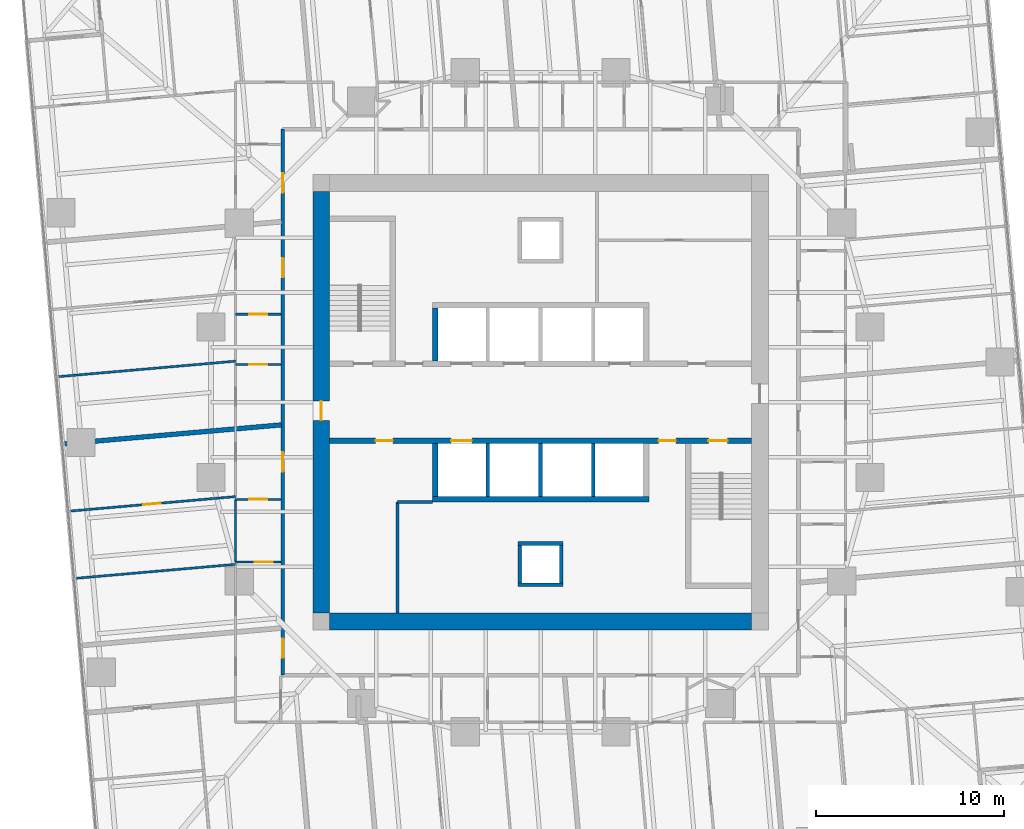
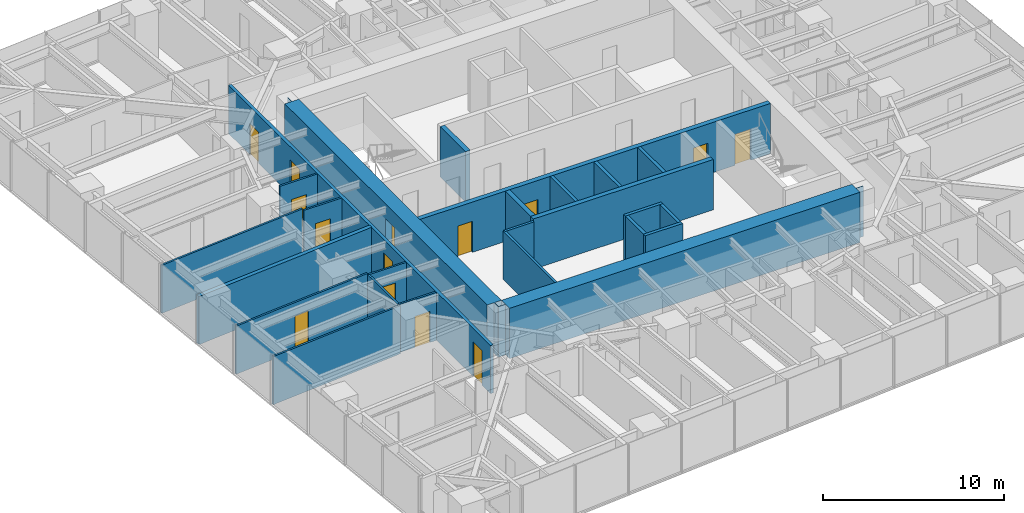
# One storey, part 9 of 14: 25 walls, 14 doors, 14 openings.
"""IFC4 building model written with IfcOpenShell, lengths in metres."""

import ifcopenshell
import ifcopenshell.guid

model = None  # the IFC model being written
_history = None  # IfcOwnerHistory: only IFC2X3 demands one
_inside = {}  # id of a spatial element -> (the spatial element, [elements in it])
_under = {}  # id of a project, library or spatial element -> (it, [spatial elements below it])
_declared = {}  # id of a project -> (the project, [libraries it declares])
_typed = {}  # id of a type object -> (the type object, [elements of that type])
_made_of = {}  # id of a material, layer set ... -> (it, [elements and type objects made of it])


def new_model(schema):
    """Start an empty IFC model of exactly this schema.

    Asked for "IFC4X3", IfcOpenShell would pick the latest addendum, in which some entities
    have other attributes; the version numbers below select the first issue.
    IFC2X3 requires an IfcOwnerHistory on every rooted entity: one is made here for all.
    """
    global model, _history
    if schema == "IFC4X3":
        model = ifcopenshell.file(schema_version=(4, 3, 0, 0))
    else:
        model = ifcopenshell.file(schema=schema)
    _inside.clear()
    _under.clear()
    _declared.clear()
    _typed.clear()
    _made_of.clear()
    _history = None
    if model.schema == "IFC2X3":
        org = make("IfcOrganization", Name="unknown")
        user = make(
            "IfcPersonAndOrganization",
            ThePerson=make("IfcPerson", FamilyName="unknown"),
            TheOrganization=org,
        )
        app = make(
            "IfcApplication",
            ApplicationDeveloper=org,
            Version="unknown",
            ApplicationFullName="unknown",
            ApplicationIdentifier="unknown",
        )
        _history = make(
            "IfcOwnerHistory",
            OwningUser=user,
            OwningApplication=app,
            ChangeAction="ADDED",
            CreationDate=0,
        )
    return model


def make(cls, **values):
    """One entity of the class cls with the attributes given. An attribute that is None is left unset."""
    return model.create_entity(
        cls, **{name: value for name, value in values.items() if value is not None}
    )


def rooted(cls, **values):
    """An entity with a GlobalId (a new one), such as an element, a storey or a relation."""
    return make(cls, GlobalId=ifcopenshell.guid.new(), OwnerHistory=_history, **values)


def si_unit(unit_type, name, prefix=None):
    """IfcSIUnit, for example si_unit("LENGTHUNIT", "METRE", prefix="MILLI")."""
    return make("IfcSIUnit", UnitType=unit_type, Prefix=prefix, Name=name)


def assignment(units):
    """IfcUnitAssignment: the units of a project."""
    return None if units is None else make("IfcUnitAssignment", Units=units)


def point(xyz):
    """IfcCartesianPoint."""
    return None if xyz is None else make("IfcCartesianPoint", Coordinates=xyz)


def direction(xyz):
    """IfcDirection."""
    return None if xyz is None else make("IfcDirection", DirectionRatios=xyz)


def frame(location, z_axis=None, x_axis=None):
    """IfcAxis2Placement3D, a coordinate frame: its origin and axes. An axis left out is left unset."""
    return make(
        "IfcAxis2Placement3D",
        Location=point(location),
        Axis=direction(z_axis),
        RefDirection=direction(x_axis),
    )


def frame_2d(location, x_axis=None):
    """IfcAxis2Placement2D, a coordinate frame in the plane: its origin and x axis."""
    return make(
        "IfcAxis2Placement2D", Location=point(location), RefDirection=direction(x_axis)
    )


def origin():
    """The frame at (0, 0, 0) with its axes left unset."""
    return frame((0.0, 0.0, 0.0))


def place(relative_to, where):
    """IfcLocalPlacement: puts the frame where relative to a parent placement (None: the world)."""
    return make(
        "IfcLocalPlacement", PlacementRelTo=relative_to, RelativePlacement=where
    )


def context(
    kind, dimensions, precision=None, world=None, true_north=None, identifier=None
):
    """IfcGeometricRepresentationContext, for example the 3D "Model" context."""
    return make(
        "IfcGeometricRepresentationContext",
        ContextIdentifier=identifier,
        ContextType=kind,
        CoordinateSpaceDimension=dimensions,
        Precision=precision,
        WorldCoordinateSystem=world,
        TrueNorth=true_north,
    )


def subcontext(parent, identifier, kind, view, scale=None):
    """IfcGeometricRepresentationSubContext, for example "Body" below "Model"."""
    return make(
        "IfcGeometricRepresentationSubContext",
        ContextIdentifier=identifier,
        ContextType=kind,
        ParentContext=parent,
        TargetScale=scale,
        TargetView=view,
    )


def project(units=None, contexts=None):
    """IfcProject with its units and contexts."""
    return rooted(
        "IfcProject",
        Name="project",
        RepresentationContexts=contexts,
        UnitsInContext=assignment(units),
    )


def spatial(cls, under=None, at=None, **own):
    """A site, building, storey or space (cls), placed at a placement, below another one or the project."""
    s = rooted(cls, ObjectPlacement=at, **own)
    if under is not None:
        _under.setdefault(under.id(), (under, []))[1].append(s)
    return s


def polyline(points):
    """IfcPolyline through the points."""
    return make("IfcPolyline", Points=[point(p) for p in points])


def profile(cls, at=None, kind="AREA", **sizes):
    """A parametric profile (cls). Its sizes go by their IFC names, for example OverallWidth=200.0."""
    return make(cls, ProfileType=kind, Position=at, **sizes)


def rectangle(**sizes):
    """IfcRectangleProfileDef."""
    return profile("IfcRectangleProfileDef", **sizes)


def outline(outer, holes=None, kind="AREA"):
    """IfcArbitraryClosedProfileDef: a profile drawn as a closed curve; with holes, ...WithVoids."""
    if holes is None:
        return make("IfcArbitraryClosedProfileDef", ProfileType=kind, OuterCurve=outer)
    return make(
        "IfcArbitraryProfileDefWithVoids",
        ProfileType=kind,
        OuterCurve=outer,
        InnerCurves=holes,
    )


def extrude(swept, where, along, depth):
    """IfcExtrudedAreaSolid: the profile swept, set in the frame where, extruded along a direction by depth."""
    return make(
        "IfcExtrudedAreaSolid",
        SweptArea=swept,
        Position=where,
        ExtrudedDirection=direction(along),
        Depth=depth,
    )


def shape(context_of_items, identifier, shape_type, items):
    """IfcShapeRepresentation: the items that make up one representation, for example the "Body"."""
    return make(
        "IfcShapeRepresentation",
        ContextOfItems=context_of_items,
        RepresentationIdentifier=identifier,
        RepresentationType=shape_type,
        Items=items,
    )


def material(Name=None, Category=None):
    """IfcMaterial."""
    return make("IfcMaterial", Name=Name, Category=Category)


def layer(
    of_material, thickness, ventilated=None, Name=None, Category=None, Priority=None
):
    """IfcMaterialLayer: one layer of a wall or slab, of a material (None: an air gap)."""
    return make(
        "IfcMaterialLayer",
        Material=of_material,
        LayerThickness=thickness,
        IsVentilated=ventilated,
        Name=Name,
        Category=Category,
        Priority=Priority,
    )


def layer_set(layers, Name=None):
    """IfcMaterialLayerSet."""
    return make("IfcMaterialLayerSet", MaterialLayers=layers, LayerSetName=Name)


def made_of(thing, what):
    """Note that an element or type object is made of a material, layer set ...; save() writes the relation."""
    if what is not None:
        _made_of.setdefault(what.id(), (what, []))[1].append(thing)
    return thing


def type_object(cls, material=None, **own):
    """A type object (cls), such as IfcWallType, which elements share."""
    return made_of(rooted(cls, **own), material)


def element(
    cls,
    number,
    at=None,
    inside=None,
    cuts=None,
    type_object=None,
    material=None,
    context=None,
    identifier="Body",
    shape_type=None,
    held_by="IfcProductDefinitionShape",
    body=None,
    shapes=None,
    **own,
):
    """One element of the class cls, such as IfcWall. Its Tag is "e" and its number.

    at: its placement. inside: the storey or other place that contains it. cuts: it is an
    opening in that element (IfcRelVoidsElement). A single representation is given by context,
    identifier, shape_type and body (its items); several are given by shapes. held_by: the class
    of the entity that holds the representations. save() writes the other relations.
    """
    e = rooted(cls, Tag="e%d" % number, ObjectPlacement=at, **own)
    if body is not None:
        shapes = [shape(context, identifier, shape_type, body)]
    if shapes is not None:
        e.Representation = make(held_by, Representations=shapes)
    if inside is not None:
        _inside.setdefault(inside.id(), (inside, []))[1].append(e)
    if cuts is not None:
        rooted(
            "IfcRelVoidsElement", RelatingBuildingElement=cuts, RelatedOpeningElement=e
        )
    if type_object is not None:
        _typed.setdefault(type_object.id(), (type_object, []))[1].append(e)
    return made_of(e, material)


def fill(opening, filler):
    """IfcRelFillsElement: the door or window that sits in an opening."""
    return rooted(
        "IfcRelFillsElement",
        RelatingOpeningElement=opening,
        RelatedBuildingElement=filler,
    )


def aggregate(whole, parts):
    """IfcRelAggregates: a whole, such as a stair, and the parts it consists of."""
    return rooted("IfcRelAggregates", RelatingObject=whole, RelatedObjects=parts)


def save(model, path):
    """Write the relations noted so far, then the file.

    IfcRelAggregates (storeys below a building ...), IfcRelContainedInSpatialStructure (elements
    in a storey), IfcRelDefinesByType, IfcRelAssociatesMaterial and IfcRelDeclares: one each for
    every whole, place, type object, material and project.
    """
    for whole, parts in _under.values():
        aggregate(whole, parts)
    for where, things in _inside.values():
        rooted(
            "IfcRelContainedInSpatialStructure",
            RelatedElements=things,
            RelatingStructure=where,
        )
    for kind, things in _typed.values():
        rooted("IfcRelDefinesByType", RelatedObjects=things, RelatingType=kind)
    for what, things in _made_of.values():
        rooted("IfcRelAssociatesMaterial", RelatedObjects=things, RelatingMaterial=what)
    for by, libraries in _declared.values():
        rooted("IfcRelDeclares", RelatingContext=by, RelatedDefinitions=libraries)
    model.write(path)


model = new_model("IFC4")

# Units and contexts
model_context = context("Model", 3, precision=1e-05, world=origin(), true_north=direction((0.0, 1.0)))
body_context = subcontext(model_context, "Body", "Model", "MODEL_VIEW")
ifc_project = project(units=[si_unit("LENGTHUNIT", "METRE"), si_unit("AREAUNIT", "SQUARE_METRE"), si_unit("VOLUMEUNIT", "CUBIC_METRE"), si_unit("PLANEANGLEUNIT", "RADIAN"), si_unit("MASSUNIT", "GRAM", prefix="KILO")], contexts=[model_context])

# Site, building, storey
site_placement = place(None, origin())
site = spatial("IfcSite", under=ifc_project, at=site_placement, CompositionType="ELEMENT")
building_placement = place(site_placement, origin())
building = spatial("IfcBuilding", under=site, at=building_placement, Name="Torsade Residences", CompositionType="ELEMENT")
storey_placement = place(building_placement, frame((0.0, 0.0, 60.800048828125)))
storey = spatial("IfcBuildingStorey", under=building, at=storey_placement, Name="L16", CompositionType="ELEMENT", Elevation=60.800048828125)

# Wall, openings, doors
ifc_material_1 = material(Name="Concrete 80 MPa", Category="concrete")
ifc_layer_1 = layer(ifc_material_1, 0.300048828125)
ifc_layer_set_1 = layer_set([ifc_layer_1], Name="Concrete 80 MPa")
wall_type_1 = type_object("IfcWallType", Name="CORE INTERNAL WALL 300", PredefinedType="SHEAR", material=ifc_layer_set_1)
wall_1_placement = place(storey_placement, frame((51.199951171875, 27.949951171875, 0.0), z_axis=(0.0, 0.0, 1.0), x_axis=(-1.0, 0.0, 0.0)))
wall_1 = element("IfcWall", 1, at=wall_1_placement, inside=storey, type_object=wall_type_1, Name="Core wall LS L16", PredefinedType="SHEAR", context=body_context, shape_type="SweptSolid", body=[
    extrude(rectangle(XDim=22.39990234375, YDim=0.300048828125, at=frame_2d((11.199951171875, 0.0))), origin(), (0.0, 0.0, 1.0), 3.39990234375),
])
opening_1_placement = place(wall_1_placement, frame((19.0400390625, 0.0, 0.0)))
opening_1 = element("IfcOpeningElement", 2, at=opening_1_placement, cuts=wall_1, Name="Opening D06", PredefinedType="OPENING", context=body_context, shape_type="SweptSolid", body=[
    extrude(rectangle(XDim=0.919921875, YDim=2.10009765625, at=frame_2d((0.4599609375, 1.050048828125))), frame((0.0, 0.159912109375, 0.0), z_axis=(0.0, -1.0, 0.0), x_axis=(1.0, 0.0, 0.0)), (0.0, 0.0, 1.0), 0.320068359375),
])
opening_2_placement = place(wall_1_placement, frame((1.264892578125, 0.0, 0.0)))
opening_2 = element("IfcOpeningElement", 3, at=opening_2_placement, cuts=wall_1, Name="Opening D03", PredefinedType="OPENING", context=body_context, shape_type="SweptSolid", body=[
    extrude(rectangle(XDim=1.02001953125, YDim=2.10009765625, at=frame_2d((0.510009765625, 1.050048828125))), frame((0.0, 0.159912109375, 0.0), z_axis=(0.0, -1.0, 0.0), x_axis=(1.0, 0.0, 0.0)), (0.0, 0.0, 1.0), 0.320068359375),
])
opening_3_placement = place(wall_1_placement, frame((4.014892578125, 0.0, 0.0)))
opening_3 = element("IfcOpeningElement", 4, at=opening_3_placement, cuts=wall_1, Name="Opening D06", PredefinedType="OPENING", context=body_context, shape_type="SweptSolid", body=[
    extrude(rectangle(XDim=0.919921875, YDim=2.10009765625, at=frame_2d((0.4599609375, 1.050048828125))), frame((0.0, 0.159912109375, 0.0), z_axis=(0.0, -1.0, 0.0), x_axis=(1.0, 0.0, 0.0)), (0.0, 0.0, 1.0), 0.320068359375),
])
opening_4_placement = place(wall_1_placement, frame((14.85009765625, 0.0, 0.0)))
opening_4 = element("IfcOpeningElement", 5, at=opening_4_placement, cuts=wall_1, Name="Opening LD", PredefinedType="OPENING", context=body_context, shape_type="SweptSolid", body=[
    extrude(rectangle(XDim=1.10009765625, YDim=2.10009765625, at=frame_2d((0.550048828125, 1.050048828125))), frame((0.0, 0.159912109375, 0.0), z_axis=(0.0, -1.0, 0.0), x_axis=(1.0, 0.0, 0.0)), (0.0, 0.0, 1.0), 0.320068359375),
])
ifc_material_2 = material(Name="Steel-framed fire door", Category="steel")
door_type_1 = type_object("IfcDoorType", Name="FIRE DOOR 1020", OperationType="NOTDEFINED", PredefinedType="DOOR", material=ifc_material_2)
door_1_placement = place(opening_2_placement, origin())
door_1 = element("IfcDoor", 6, at=door_1_placement, inside=storey, type_object=door_type_1, Name="Exit door to fire-isolated stair ST2 L16", OperationType="SINGLE_SWING_RIGHT", OverallHeight=2.10009765625, OverallWidth=1.02001953125, PredefinedType="DOOR", context=body_context, shape_type="SweptSolid", body=[
    extrude(rectangle(XDim=1.02001953125, YDim=2.10009765625, at=frame_2d((0.510009765625, 1.050048828125))), frame((0.0, 0.02490234375, 0.0), z_axis=(0.0, -1.0, 0.0), x_axis=(1.0, 0.0, 0.0)), (0.0, 0.0, 1.0), 0.050048828125),
])
fill(opening_2, door_1)
ifc_material_3 = material(Name="Steel-framed fire door", Category="steel")
door_type_2 = type_object("IfcDoorType", Name="FIRE DOOR 920", OperationType="NOTDEFINED", PredefinedType="DOOR", material=ifc_material_3)
door_2_placement = place(opening_1_placement, origin())
door_2 = element("IfcDoor", 7, at=door_2_placement, inside=storey, type_object=door_type_2, Name="Door Lift lobby to Cleaner store", OperationType="SINGLE_SWING_LEFT", OverallHeight=2.10009765625, OverallWidth=0.919921875, PredefinedType="DOOR", context=body_context, shape_type="SweptSolid", body=[
    extrude(rectangle(XDim=0.919921875, YDim=2.10009765625, at=frame_2d((0.4599609375, 1.050048828125))), frame((0.0, 0.02490234375, 0.0), z_axis=(0.0, -1.0, 0.0), x_axis=(1.0, 0.0, 0.0)), (0.0, 0.0, 1.0), 0.050048828125),
])
fill(opening_1, door_2)
door_3_placement = place(opening_3_placement, origin())
door_3 = element("IfcDoor", 8, at=door_3_placement, inside=storey, type_object=door_type_2, Name="Door Lift lobby to Communications riser room", OperationType="SINGLE_SWING_RIGHT", OverallHeight=2.10009765625, OverallWidth=0.919921875, PredefinedType="DOOR", context=body_context, shape_type="SweptSolid", body=[
    extrude(rectangle(XDim=0.919921875, YDim=2.10009765625, at=frame_2d((0.4599609375, 1.050048828125))), frame((0.0, 0.02490234375, 0.0), z_axis=(0.0, -1.0, 0.0), x_axis=(1.0, 0.0, 0.0)), (0.0, 0.0, 1.0), 0.050048828125),
])
fill(opening_3, door_3)
ifc_material_4 = material(Name="Stainless steel lift landing door", Category="steel")
door_type_3 = type_object("IfcDoorType", Name="LIFT LANDING DOOR 1100", OperationType="SLIDING_TO_LEFT", PredefinedType="DOOR", material=ifc_material_4)
door_4_placement = place(opening_4_placement, origin())
door_4 = element("IfcDoor", 9, at=door_4_placement, inside=storey, type_object=door_type_3, Name="Lift FL2 landing door L16", OperationType="SLIDING_TO_LEFT", OverallHeight=2.10009765625, OverallWidth=1.10009765625, PredefinedType="DOOR", context=body_context, shape_type="SweptSolid", body=[
    extrude(rectangle(XDim=1.10009765625, YDim=2.10009765625, at=frame_2d((0.550048828125, 1.050048828125))), frame((0.0, 0.02490234375, 0.0), z_axis=(0.0, -1.0, 0.0), x_axis=(1.0, 0.0, 0.0)), (0.0, 0.0, 1.0), 0.050048828125),
])
fill(opening_4, door_4)

# Walls
wall_2_placement = place(storey_placement, frame((45.75, 24.85009765625, 0.0), z_axis=(0.0, 0.0, 1.0), x_axis=(-1.0, 0.0, 0.0)))
element("IfcWall", 10, at=wall_2_placement, inside=storey, type_object=wall_type_1, Name="Core wall BS L16", PredefinedType="SHEAR", context=body_context, shape_type="SweptSolid", body=[
    extrude(rectangle(XDim=11.5, YDim=0.300048828125, at=frame_2d((5.75, 0.0))), origin(), (0.0, 0.0, 1.0), 3.39990234375),
])
for number, where, z_axis, x_axis, name in (
    (11, (34.39990234375, 32.199951171875, 0.0), (0.0, 0.0, 1.0), (0.0, 1.0, 0.0), "Core wall DN0 L16"),
    (12, (34.39990234375, 27.800048828125, 0.0), (0.0, 0.0, 1.0), (0.0, -1.0, 0.0), "Core wall DS4 L16"),
):
    element("IfcWall", number, at=place(storey_placement, frame(where, z_axis=z_axis, x_axis=x_axis)), inside=storey, type_object=wall_type_1, Name=name, PredefinedType="SHEAR", context=body_context, shape_type="SweptSolid", body=[
        extrude(rectangle(XDim=2.800048828125, YDim=0.300048828125, at=frame_2d((1.39990234375, 0.0))), origin(), (0.0, 0.0, 1.0), 3.39990234375),
    ])
ifc_material_5 = material(Name="Concrete 80 MPa", Category="concrete")
ifc_layer_2 = layer(ifc_material_5, 0.89990234375)
ifc_layer_set_2 = layer_set([ifc_layer_2], Name="Concrete 80 MPa")
wall_type_2 = type_object("IfcWallType", Name="CORE WALL 900", PredefinedType="SHEAR", material=ifc_layer_set_2)
wall_3_placement = place(storey_placement, frame((51.199951171875, 18.35009765625, 0.0), z_axis=(0.0, 0.0, 1.0), x_axis=(-1.0, 0.0, 0.0)))
element("IfcWall", 13, at=wall_3_placement, inside=storey, type_object=wall_type_2, Name="Core wall S L16", PredefinedType="SHEAR", context=body_context, shape_type="SweptSolid", body=[
    extrude(outline(polyline([(0.0, -0.449951171875), (22.39990234375, -0.449951171875), (22.39990234375, -0.02490234375), (22.849853515625, -0.02490234375), (22.849853515625, 0.02490234375), (22.39990234375, 0.02490234375), (22.39990234375, 0.449951171875), (0.0, 0.449951171875), (0.0, 0.02490234375), (-0.449951171875, 0.02490234375), (-0.449951171875, -0.02490234375), (0.0, -0.02490234375), (0.0, -0.449951171875)])), origin(), (0.0, 0.0, 1.0), 3.39990234375),
])

# Wall, opening, door
wall_4_placement = place(storey_placement, frame((28.35009765625, 41.199951171875, 0.0), z_axis=(0.0, 0.0, 1.0), x_axis=(0.0, -1.0, 0.0)))
wall_4 = element("IfcWall", 14, at=wall_4_placement, inside=storey, type_object=wall_type_2, Name="Core wall W L16", PredefinedType="SHEAR", context=body_context, shape_type="SweptSolid", body=[
    extrude(outline(polyline([(0.0, -0.449951171875), (22.39990234375, -0.449951171875), (22.39990234375, -0.02490234375), (22.849853515625, -0.02490234375), (22.849853515625, 0.02490234375), (22.39990234375, 0.02490234375), (22.39990234375, 0.449951171875), (0.0, 0.449951171875), (0.0, 0.02490234375), (-0.449951171875, 0.02490234375), (-0.449951171875, -0.02490234375), (0.0, -0.02490234375), (0.0, -0.449951171875)])), origin(), (0.0, 0.0, 1.0), 3.39990234375),
])
opening_5_placement = place(wall_4_placement, frame((11.139892578125, 0.0, 0.0)))
opening_5 = element("IfcOpeningElement", 15, at=opening_5_placement, cuts=wall_4, Name="Opening D04", PredefinedType="OPENING", context=body_context, shape_type="SweptSolid", body=[
    extrude(rectangle(XDim=1.02001953125, YDim=2.39990234375, at=frame_2d((0.510009765625, 1.199951171875))), frame((0.0, 0.4599609375, 0.0), z_axis=(0.0, -1.0, 0.0), x_axis=(1.0, 0.0, 0.0)), (0.0, 0.0, 1.0), 0.919921875),
])
ifc_material_6 = material(Name="Steel-framed fire door", Category="steel")
door_type_4 = type_object("IfcDoorType", Name="LOBBY SMOKE DOOR 1020x2400", OperationType="NOTDEFINED", PredefinedType="DOOR", material=ifc_material_6)
door_5_placement = place(opening_5_placement, origin())
door_5 = element("IfcDoor", 16, at=door_5_placement, inside=storey, type_object=door_type_4, Name="Lift lobby door W L16", OperationType="SINGLE_SWING_RIGHT", OverallHeight=2.39990234375, OverallWidth=1.02001953125, PredefinedType="DOOR", context=body_context, shape_type="SweptSolid", body=[
    extrude(rectangle(XDim=1.02001953125, YDim=2.39990234375, at=frame_2d((0.510009765625, 1.199951171875))), frame((0.0, 0.02490234375, 0.0), z_axis=(0.0, -1.0, 0.0), x_axis=(1.0, 0.0, 0.0)), (0.0, 0.0, 1.0), 0.050048828125),
])
fill(opening_5, door_5)

# Wall, openings, doors
ifc_material_7 = material(Name="Plasterboard on steel stud", Category="steel")
ifc_layer_3 = layer(ifc_material_7, 0.199951171875)
ifc_layer_set_3 = layer_set([ifc_layer_3], Name="Plasterboard on steel stud")
wall_type_3 = type_object("IfcWallType", Name="CORRIDOR WALL 200", PredefinedType="PARTITIONING", material=ifc_layer_set_3)
wall_5_placement = place(storey_placement, frame((26.300048828125, 44.5, 0.0), z_axis=(0.0, 0.0, 1.0), x_axis=(0.0, -1.0, 0.0)))
wall_5 = element("IfcWall", 17, at=wall_5_placement, inside=storey, type_object=wall_type_3, Name="Corridor wall L16", PredefinedType="PARTITIONING", context=body_context, shape_type="SweptSolid", body=[
    extrude(rectangle(XDim=29.0, YDim=0.199951171875, at=frame_2d((14.5, 0.0))), origin(), (0.0, 0.0, 1.0), 3.25),
])
opening_6_placement = place(wall_5_placement, frame((6.849609375, 0.0, 0.0)))
opening_6 = element("IfcOpeningElement", 18, at=opening_6_placement, cuts=wall_5, Name="Opening D01", PredefinedType="OPENING", context=body_context, shape_type="SweptSolid", body=[
    extrude(rectangle(XDim=1.02001953125, YDim=2.340087890625, at=frame_2d((0.510009765625, 1.169921875))), frame((0.0, 0.10986328125, 0.0), z_axis=(0.0, -1.0, 0.0), x_axis=(1.0, 0.0, 0.0)), (0.0, 0.0, 1.0), 0.219970703125),
])
opening_7_placement = place(wall_5_placement, frame((2.344970703125, 0.0, 0.0)))
opening_7 = element("IfcOpeningElement", 19, at=opening_7_placement, cuts=wall_5, Name="Opening D01L", PredefinedType="OPENING", context=body_context, shape_type="SweptSolid", body=[
    extrude(rectangle(XDim=1.02001953125, YDim=2.10009765625, at=frame_2d((0.510009765625, 1.050048828125))), frame((0.0, 0.10986328125, 0.0), z_axis=(0.0, -1.0, 0.0), x_axis=(1.0, 0.0, 0.0)), (0.0, 0.0, 1.0), 0.219970703125),
])
opening_8_placement = place(wall_5_placement, frame((17.165771484375, 0.0, 0.0)))
opening_8 = element("IfcOpeningElement", 20, at=opening_8_placement, cuts=wall_5, Name="Opening D01", PredefinedType="OPENING", context=body_context, shape_type="SweptSolid", body=[
    extrude(rectangle(XDim=1.02001953125, YDim=2.340087890625, at=frame_2d((0.510009765625, 1.169921875))), frame((0.0, 0.10986328125, 0.0), z_axis=(0.0, -1.0, 0.0), x_axis=(1.0, 0.0, 0.0)), (0.0, 0.0, 1.0), 0.219970703125),
])
opening_9_placement = place(wall_5_placement, frame((27.054931640625, 0.0, 0.0)))
opening_9 = element("IfcOpeningElement", 21, at=opening_9_placement, cuts=wall_5, Name="Opening D01", PredefinedType="OPENING", context=body_context, shape_type="SweptSolid", body=[
    extrude(rectangle(XDim=1.02001953125, YDim=2.340087890625, at=frame_2d((0.510009765625, 1.169921875))), frame((0.0, 0.10986328125, 0.0), z_axis=(0.0, -1.0, 0.0), x_axis=(1.0, 0.0, 0.0)), (0.0, 0.0, 1.0), 0.219970703125),
])
ifc_material_8 = material(Name="Solid-core timber fire door", Category="wood")
door_type_5 = type_object("IfcDoorType", Name="APARTMENT ENTRY DOOR 1020x2100", OperationType="NOTDEFINED", PredefinedType="DOOR", material=ifc_material_8)
door_6_placement = place(opening_7_placement, origin())
door_6 = element("IfcDoor", 22, at=door_6_placement, inside=storey, type_object=door_type_5, Name="Door Residential corridor to Kitchen and dining", OperationType="SINGLE_SWING_LEFT", OverallHeight=2.10009765625, OverallWidth=1.02001953125, PredefinedType="DOOR", context=body_context, shape_type="SweptSolid", body=[
    extrude(rectangle(XDim=1.02001953125, YDim=2.10009765625, at=frame_2d((0.510009765625, 1.050048828125))), frame((0.0, 0.02490234375, 0.0), z_axis=(0.0, -1.0, 0.0), x_axis=(1.0, 0.0, 0.0)), (0.0, 0.0, 1.0), 0.050048828125),
])
fill(opening_7, door_6)
ifc_material_9 = material(Name="Solid-core timber fire door", Category="wood")
door_type_6 = type_object("IfcDoorType", Name="APARTMENT ENTRY DOOR 1020x2340", OperationType="NOTDEFINED", PredefinedType="DOOR", material=ifc_material_9)
door_7_placement = place(opening_6_placement, origin())
door_7 = element("IfcDoor", 23, at=door_7_placement, inside=storey, type_object=door_type_6, Name="Door Residential corridor to Kitchen and dining", OperationType="SINGLE_SWING_LEFT", OverallHeight=2.340087890625, OverallWidth=1.02001953125, PredefinedType="DOOR", context=body_context, shape_type="SweptSolid", body=[
    extrude(rectangle(XDim=1.02001953125, YDim=2.340087890625, at=frame_2d((0.510009765625, 1.169921875))), frame((0.0, 0.02490234375, 0.0), z_axis=(0.0, -1.0, 0.0), x_axis=(1.0, 0.0, 0.0)), (0.0, 0.0, 1.0), 0.050048828125),
])
fill(opening_6, door_7)
door_8_placement = place(opening_8_placement, origin())
door_8 = element("IfcDoor", 24, at=door_8_placement, inside=storey, type_object=door_type_6, Name="Door Residential corridor to Kitchen and dining", OperationType="SINGLE_SWING_LEFT", OverallHeight=2.340087890625, OverallWidth=1.02001953125, PredefinedType="DOOR", context=body_context, shape_type="SweptSolid", body=[
    extrude(rectangle(XDim=1.02001953125, YDim=2.340087890625, at=frame_2d((0.510009765625, 1.169921875))), frame((0.0, 0.02490234375, 0.0), z_axis=(0.0, -1.0, 0.0), x_axis=(1.0, 0.0, 0.0)), (0.0, 0.0, 1.0), 0.050048828125),
])
fill(opening_8, door_8)
door_9_placement = place(opening_9_placement, origin())
door_9 = element("IfcDoor", 25, at=door_9_placement, inside=storey, type_object=door_type_6, Name="Door Residential corridor to Kitchen and dining", OperationType="SINGLE_SWING_RIGHT", OverallHeight=2.340087890625, OverallWidth=1.02001953125, PredefinedType="DOOR", context=body_context, shape_type="SweptSolid", body=[
    extrude(rectangle(XDim=1.02001953125, YDim=2.340087890625, at=frame_2d((0.510009765625, 1.169921875))), frame((0.0, 0.02490234375, 0.0), z_axis=(0.0, -1.0, 0.0), x_axis=(1.0, 0.0, 0.0)), (0.0, 0.0, 1.0), 0.050048828125),
])
fill(opening_9, door_9)

# Walls
ifc_material_10 = material(Name="Reinforced blockwork", Category="masonry")
ifc_layer_4 = layer(ifc_material_10, 0.199951171875)
ifc_layer_set_4 = layer_set([ifc_layer_4], Name="Reinforced blockwork")
wall_type_4 = type_object("IfcWallType", Name="LIFT SHAFT DIVIDING WALL 200", PredefinedType="SOLIDWALL", material=ifc_layer_set_4)
for number, where, z_axis, x_axis, name in (
    (26, (42.800048828125, 27.800048828125, 0.0), (0.0, 0.0, 1.0), (0.0, -1.0, 0.0), "Core wall DS1 L16"),
    (27, (40.0, 27.800048828125, 0.0), (0.0, 0.0, 1.0), (0.0, -1.0, 0.0), "Core wall DS2 L16"),
    (28, (37.199951171875, 27.800048828125, 0.0), (0.0, 0.0, 1.0), (0.0, -1.0, 0.0), "Core wall DS3 L16"),
):
    element("IfcWall", number, at=place(storey_placement, frame(where, z_axis=z_axis, x_axis=x_axis)), inside=storey, type_object=wall_type_4, Name=name, PredefinedType="SOLIDWALL", context=body_context, shape_type="SweptSolid", body=[
        extrude(rectangle(XDim=2.800048828125, YDim=0.199951171875, at=frame_2d((1.39990234375, 0.0))), origin(), (0.0, 0.0, 1.0), 3.39990234375),
    ])

# Wall, opening, door
ifc_material_11 = material(Name="Plasterboard on steel stud", Category="steel")
ifc_layer_5 = layer(ifc_material_11, 0.1201171875)
ifc_layer_set_5 = layer_set([ifc_layer_5], Name="Plasterboard on steel stud")
wall_type_5 = type_object("IfcWallType", Name="PARTITION 120", PredefinedType="PARTITIONING", material=ifc_layer_set_5)
wall_6_placement = place(storey_placement, frame((26.199951171875, 24.837646484375, 0.0), z_axis=(0.0, 0.0, 1.0), x_axis=(-1.0, 0.0, 0.0)))
wall_6 = element("IfcWall", 29, at=wall_6_placement, inside=storey, type_object=wall_type_5, Name="Partition L16", PredefinedType="PARTITIONING", context=body_context, shape_type="SweptSolid", body=[
    extrude(rectangle(XDim=2.39990234375, YDim=0.1201171875, at=frame_2d((1.199951171875, 0.0))), origin(), (0.0, 0.0, 1.0), 3.25),
])
opening_10_placement = place(wall_6_placement, frame((0.719970703125, 0.0, 0.0)))
opening_10 = element("IfcOpeningElement", 30, at=opening_10_placement, cuts=wall_6, Name="Opening D05", PredefinedType="OPENING", context=body_context, shape_type="SweptSolid", body=[
    extrude(rectangle(XDim=0.9599609375, YDim=2.10009765625, at=frame_2d((0.47998046875, 1.050048828125))), frame((0.0, 0.070068359375, 0.0), z_axis=(0.0, -1.0, 0.0), x_axis=(1.0, 0.0, 0.0)), (0.0, 0.0, 1.0), 0.14013671875),
])
ifc_material_12 = material(Name="Hollow-core timber door in a steel cavity frame", Category="steel")
door_type_7 = type_object("IfcDoorType", Name="BATHROOM CAVITY SLIDING DOOR 960", OperationType="SLIDING_TO_LEFT", PredefinedType="DOOR", material=ifc_material_12)
door_10_placement = place(opening_10_placement, origin())
door_10 = element("IfcDoor", 31, at=door_10_placement, inside=storey, type_object=door_type_7, Name="Door Kitchen and dining to Ensuite", OperationType="SLIDING_TO_LEFT", OverallHeight=2.10009765625, OverallWidth=0.9599609375, PredefinedType="DOOR", context=body_context, shape_type="SweptSolid", body=[
    extrude(rectangle(XDim=0.9599609375, YDim=2.10009765625, at=frame_2d((0.47998046875, 1.050048828125))), frame((0.0, 0.02490234375, 0.0), z_axis=(0.0, -1.0, 0.0), x_axis=(1.0, 0.0, 0.0)), (0.0, 0.0, 1.0), 0.050048828125),
])
fill(opening_10, door_10)

wall_7_placement = place(storey_placement, frame((23.800048828125, 21.513916015625, 0.0), z_axis=(0.0, 0.0, 1.0), x_axis=(1.0, 0.0, 0.0)))
wall_7 = element("IfcWall", 32, at=wall_7_placement, inside=storey, type_object=wall_type_5, Name="Partition L16", PredefinedType="PARTITIONING", context=body_context, shape_type="SweptSolid", body=[
    extrude(rectangle(XDim=2.39990234375, YDim=0.1201171875, at=frame_2d((1.199951171875, 0.0))), origin(), (0.0, 0.0, 1.0), 3.25),
])
opening_11_placement = place(wall_7_placement, frame((1.02001953125, 0.0, 0.0)))
opening_11 = element("IfcOpeningElement", 33, at=opening_11_placement, cuts=wall_7, Name="Opening D05", PredefinedType="OPENING", context=body_context, shape_type="SweptSolid", body=[
    extrude(rectangle(XDim=0.9599609375, YDim=2.10009765625, at=frame_2d((0.47998046875, 1.050048828125))), frame((0.0, 0.070068359375, 0.0), z_axis=(0.0, -1.0, 0.0), x_axis=(1.0, 0.0, 0.0)), (0.0, 0.0, 1.0), 0.14013671875),
])
door_11_placement = place(opening_11_placement, origin())
door_11 = element("IfcDoor", 34, at=door_11_placement, inside=storey, type_object=door_type_7, Name="Door Ensuite to Bathroom", OperationType="SLIDING_TO_LEFT", OverallHeight=2.10009765625, OverallWidth=0.9599609375, PredefinedType="DOOR", context=body_context, shape_type="SweptSolid", body=[
    extrude(rectangle(XDim=0.9599609375, YDim=2.10009765625, at=frame_2d((0.47998046875, 1.050048828125))), frame((0.0, 0.02490234375, 0.0), z_axis=(0.0, -1.0, 0.0), x_axis=(1.0, 0.0, 0.0)), (0.0, 0.0, 1.0), 0.050048828125),
])
fill(opening_11, door_11)

# Wall
wall_8_placement = place(storey_placement, frame((23.800048828125, 21.513916015625, 0.0), z_axis=(0.0, 0.0, 1.0), x_axis=(0.0, 1.0, 0.0)))
element("IfcWall", 35, at=wall_8_placement, inside=storey, type_object=wall_type_5, Name="Partition L16", PredefinedType="PARTITIONING", context=body_context, shape_type="SweptSolid", body=[
    extrude(rectangle(XDim=3.32373046875, YDim=0.1201171875, at=frame_2d((1.661865234375, 0.0))), origin(), (0.0, 0.0, 1.0), 3.25),
])

# Wall, opening, door
wall_9_placement = place(storey_placement, frame((23.800048828125, 24.985595703125, 0.0), z_axis=(0.0, 0.0, 1.0), x_axis=(-0.996194045583, -0.087163200634, 0.0)))
wall_9 = element("IfcWall", 36, at=wall_9_placement, inside=storey, type_object=wall_type_5, Name="Partition L16", PredefinedType="PARTITIONING", context=body_context, shape_type="SweptSolid", body=[
    extrude(rectangle(XDim=8.884765625, YDim=0.1201171875, at=frame_2d((4.4423828125, 0.0))), origin(), (0.0, 0.0, 1.0), 3.25),
])
opening_12_placement = place(wall_9_placement, frame((4.002197265625, 0.0, 0.0)))
opening_12 = element("IfcOpeningElement", 37, at=opening_12_placement, cuts=wall_9, Name="Opening D02", PredefinedType="OPENING", context=body_context, shape_type="SweptSolid", body=[
    extrude(rectangle(XDim=0.919921875, YDim=2.340087890625, at=frame_2d((0.4599609375, 1.169921875))), frame((0.0, 0.070068359375, 0.0), z_axis=(0.0, -1.0, 0.0), x_axis=(1.0, 0.0, 0.0)), (0.0, 0.0, 1.0), 0.14013671875),
])
ifc_material_13 = material(Name="Hollow-core timber door", Category="wood")
door_type_8 = type_object("IfcDoorType", Name="INTERNAL DOOR 920x2340", OperationType="NOTDEFINED", PredefinedType="DOOR", material=ifc_material_13)
door_12_placement = place(opening_12_placement, origin())
door_12 = element("IfcDoor", 38, at=door_12_placement, inside=storey, type_object=door_type_8, Name="Door Living room to Bedroom 1", OperationType="SINGLE_SWING_LEFT", OverallHeight=2.340087890625, OverallWidth=0.919921875, PredefinedType="DOOR", context=body_context, shape_type="SweptSolid", body=[
    extrude(rectangle(XDim=0.919921875, YDim=2.340087890625, at=frame_2d((0.4599609375, 1.169921875))), frame((0.0, 0.02490234375, 0.0), z_axis=(0.0, -1.0, 0.0), x_axis=(1.0, 0.0, 0.0)), (0.0, 0.0, 1.0), 0.050048828125),
])
fill(opening_12, door_12)

# Wall
wall_10_placement = place(storey_placement, frame((23.800048828125, 21.388671875, 0.0), z_axis=(0.0, 0.0, 1.0), x_axis=(-0.996194273991, -0.087160590107, 0.0)))
element("IfcWall", 39, at=wall_10_placement, inside=storey, type_object=wall_type_5, Name="Partition L16", PredefinedType="PARTITIONING", context=body_context, shape_type="SweptSolid", body=[
    extrude(rectangle(XDim=8.5712890625, YDim=0.1201171875, at=frame_2d((4.28564453125, 0.0))), origin(), (0.0, 0.0, 1.0), 3.25),
])

# Wall, opening, door
wall_11_placement = place(storey_placement, frame((26.199951171875, 34.678466796875, 0.0), z_axis=(0.0, 0.0, 1.0), x_axis=(-1.0, 0.0, 0.0)))
wall_11 = element("IfcWall", 40, at=wall_11_placement, inside=storey, type_object=wall_type_5, Name="Partition L16", PredefinedType="PARTITIONING", context=body_context, shape_type="SweptSolid", body=[
    extrude(rectangle(XDim=2.39990234375, YDim=0.1201171875, at=frame_2d((1.199951171875, 0.0))), origin(), (0.0, 0.0, 1.0), 3.25),
])
opening_13_placement = place(wall_11_placement, frame((0.719970703125, 0.0, 0.0)))
opening_13 = element("IfcOpeningElement", 41, at=opening_13_placement, cuts=wall_11, Name="Opening D05", PredefinedType="OPENING", context=body_context, shape_type="SweptSolid", body=[
    extrude(rectangle(XDim=0.9599609375, YDim=2.10009765625, at=frame_2d((0.47998046875, 1.050048828125))), frame((0.0, 0.070068359375, 0.0), z_axis=(0.0, -1.0, 0.0), x_axis=(1.0, 0.0, 0.0)), (0.0, 0.0, 1.0), 0.14013671875),
])
door_13_placement = place(opening_13_placement, origin())
door_13 = element("IfcDoor", 42, at=door_13_placement, inside=storey, type_object=door_type_7, Name="Door Kitchen and dining to Ensuite", OperationType="SLIDING_TO_LEFT", OverallHeight=2.10009765625, OverallWidth=0.9599609375, PredefinedType="DOOR", context=body_context, shape_type="SweptSolid", body=[
    extrude(rectangle(XDim=0.9599609375, YDim=2.10009765625, at=frame_2d((0.47998046875, 1.050048828125))), frame((0.0, 0.02490234375, 0.0), z_axis=(0.0, -1.0, 0.0), x_axis=(1.0, 0.0, 0.0)), (0.0, 0.0, 1.0), 0.050048828125),
])
fill(opening_13, door_13)

wall_12_placement = place(storey_placement, frame((23.800048828125, 32.003173828125, 0.0), z_axis=(0.0, 0.0, 1.0), x_axis=(1.0, 0.0, 0.0)))
wall_12 = element("IfcWall", 43, at=wall_12_placement, inside=storey, type_object=wall_type_5, Name="Partition L16", PredefinedType="PARTITIONING", context=body_context, shape_type="SweptSolid", body=[
    extrude(rectangle(XDim=2.39990234375, YDim=0.1201171875, at=frame_2d((1.199951171875, 0.0))), origin(), (0.0, 0.0, 1.0), 3.25),
])
opening_14_placement = place(wall_12_placement, frame((0.719970703125, 0.0, 0.0)))
opening_14 = element("IfcOpeningElement", 44, at=opening_14_placement, cuts=wall_12, Name="Opening D05", PredefinedType="OPENING", context=body_context, shape_type="SweptSolid", body=[
    extrude(rectangle(XDim=0.9599609375, YDim=2.10009765625, at=frame_2d((0.47998046875, 1.050048828125))), frame((0.0, 0.070068359375, 0.0), z_axis=(0.0, -1.0, 0.0), x_axis=(1.0, 0.0, 0.0)), (0.0, 0.0, 1.0), 0.14013671875),
])
door_14_placement = place(opening_14_placement, origin())
door_14 = element("IfcDoor", 45, at=door_14_placement, inside=storey, type_object=door_type_7, Name="Door Ensuite to Bathroom", OperationType="SLIDING_TO_LEFT", OverallHeight=2.10009765625, OverallWidth=0.9599609375, PredefinedType="DOOR", context=body_context, shape_type="SweptSolid", body=[
    extrude(rectangle(XDim=0.9599609375, YDim=2.10009765625, at=frame_2d((0.47998046875, 1.050048828125))), frame((0.0, 0.02490234375, 0.0), z_axis=(0.0, -1.0, 0.0), x_axis=(1.0, 0.0, 0.0)), (0.0, 0.0, 1.0), 0.050048828125),
])
fill(opening_14, door_14)

# Walls
wall_13_placement = place(storey_placement, frame((23.800048828125, 32.1796875, 0.0), z_axis=(0.0, 0.0, 1.0), x_axis=(-0.996193828936, -0.087165676674, 0.0)))
element("IfcWall", 46, at=wall_13_placement, inside=storey, type_object=wall_type_5, Name="Partition L16", PredefinedType="PARTITIONING", context=body_context, shape_type="SweptSolid", body=[
    extrude(rectangle(XDim=9.51171875, YDim=0.1201171875, at=frame_2d((4.755859375, 0.0))), origin(), (0.0, 0.0, 1.0), 3.25),
])
ifc_material_14 = material(Name="Masonry-lined stud party wall", Category="masonry")
ifc_layer_6 = layer(ifc_material_14, 0.25)
ifc_layer_set_6 = layer_set([ifc_layer_6], Name="Masonry-lined stud party wall")
wall_type_6 = type_object("IfcWallType", Name="PARTY WALL 250", PredefinedType="PARTITIONING", material=ifc_layer_set_6)
wall_14_placement = place(storey_placement, frame((14.596923828125, 27.777587890625, 0.0), z_axis=(0.0, 0.0, 1.0), x_axis=(0.996195419442, 0.087147497287, 0.0)))
element("IfcWall", 47, at=wall_14_placement, inside=storey, type_object=wall_type_6, Name="Party wall L16", PredefinedType="PARTITIONING", context=body_context, shape_type="SweptSolid", body=[
    extrude(rectangle(XDim=11.676513671875, YDim=0.25, at=frame_2d((5.83837890625, 0.0))), origin(), (0.0, 0.0, 1.0), 3.25),
])
ifc_material_15 = material(Name="Reinforced blockwork", Category="masonry")
ifc_layer_7 = layer(ifc_material_15, 0.199951171875)
ifc_layer_set_7 = layer_set([ifc_layer_7], Name="Reinforced blockwork")
wall_type_7 = type_object("IfcWallType", Name="RISER SHAFT WALL 200", PredefinedType="SOLIDWALL", material=ifc_layer_set_7)
for number, where, z_axis, x_axis, name in (
    (48, (38.89990234375, 22.39990234375, 0.0), (0.0, 0.0, 1.0), (0.0, -1.0, 0.0), "Core wall RS2a L16"),
    (49, (41.10009765625, 22.39990234375, 0.0), (0.0, 0.0, 1.0), (0.0, -1.0, 0.0), "Core wall RS2b L16"),
):
    element("IfcWall", number, at=place(storey_placement, frame(where, z_axis=z_axis, x_axis=x_axis)), inside=storey, type_object=wall_type_7, Name=name, PredefinedType="SOLIDWALL", context=body_context, shape_type="SweptSolid", body=[
        extrude(rectangle(XDim=2.0, YDim=0.199951171875, at=frame_2d((1.0, 0.0))), origin(), (0.0, 0.0, 1.0), 3.39990234375),
    ])
for number, where, z_axis, x_axis, name in (
    (50, (38.800048828125, 22.5, 0.0), (0.0, 0.0, 1.0), (1.0, 0.0, 0.0), "Core wall RS2c L16"),
    (51, (38.800048828125, 20.300048828125, 0.0), (0.0, 0.0, 1.0), (1.0, 0.0, 0.0), "Core wall RS2d L16"),
):
    element("IfcWall", number, at=place(storey_placement, frame(where, z_axis=z_axis, x_axis=x_axis)), inside=storey, type_object=wall_type_7, Name=name, PredefinedType="SOLIDWALL", context=body_context, shape_type="SweptSolid", body=[
        extrude(rectangle(XDim=2.39990234375, YDim=0.199951171875, at=frame_2d((1.199951171875, 0.0))), origin(), (0.0, 0.0, 1.0), 3.39990234375),
    ])
ifc_material_16 = material(Name="Reinforced blockwork", Category="masonry")
ifc_layer_8 = layer(ifc_material_16, 0.14990234375)
ifc_layer_set_8 = layer_set([ifc_layer_8], Name="Reinforced blockwork")
wall_type_8 = type_object("IfcWallType", Name="SERVICE ROOM WALL 150", PredefinedType="SOLIDWALL", material=ifc_layer_set_8)
wall_15_placement = place(storey_placement, frame((32.39990234375, 18.800048828125, 0.0), z_axis=(0.0, 0.0, 1.0), x_axis=(0.0, 1.0, 0.0)))
element("IfcWall", 52, at=wall_15_placement, inside=storey, type_object=wall_type_8, Name="Service room wall L16", PredefinedType="SOLIDWALL", context=body_context, shape_type="SweptSolid", body=[
    extrude(rectangle(XDim=5.89990234375, YDim=0.14990234375, at=frame_2d((2.949951171875, 0.0))), origin(), (0.0, 0.0, 1.0), 3.25),
])
wall_16_placement = place(storey_placement, frame((32.39990234375, 24.699951171875, 0.0), z_axis=(0.0, 0.0, 1.0), x_axis=(1.0, 0.0, 0.0)))
element("IfcWall", 53, at=wall_16_placement, inside=storey, type_object=wall_type_8, Name="Service room wall L16", PredefinedType="SOLIDWALL", context=body_context, shape_type="SweptSolid", body=[
    extrude(rectangle(XDim=1.85009765625, YDim=0.14990234375, at=frame_2d((0.925048828125, 0.0))), origin(), (0.0, 0.0, 1.0), 3.25),
])

save(model, "model.ifc")
